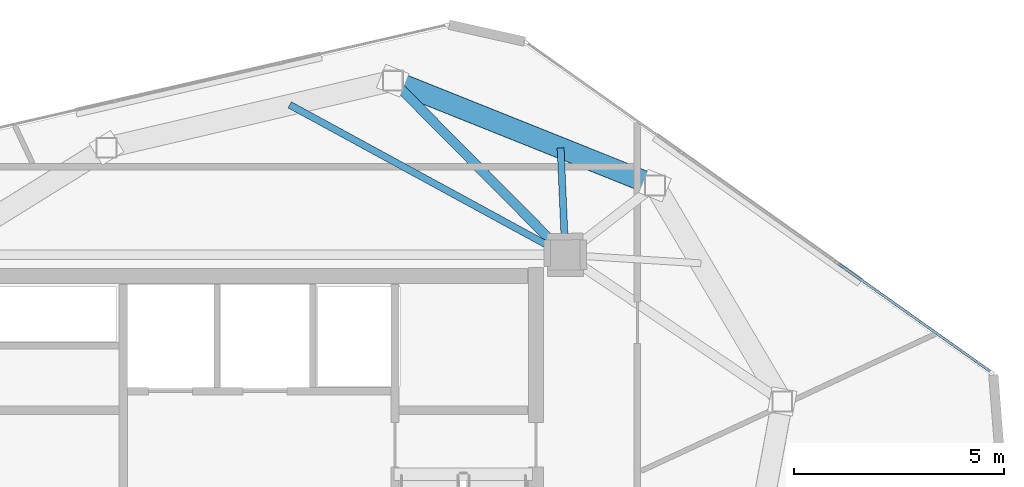
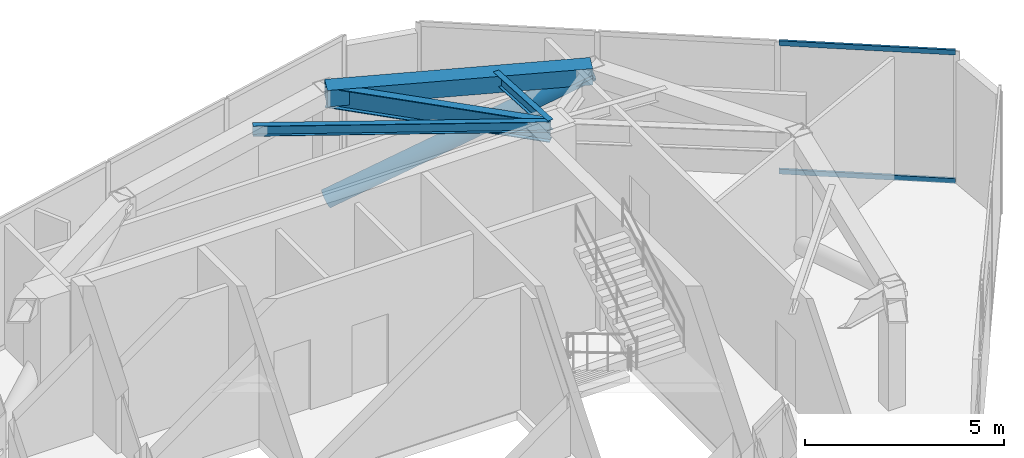
# One storey, part 14 of 21: 4 beams, 3 members, 1 element without a shape of its own.
"""IFC4 building model written with IfcOpenShell, lengths in metres."""

from ifc_helpers import new_model, si_unit, direction, frame, origin, origin_2d, place, context, subcontext, project, spatial, hollow_rectangle, hollow_circle, i_section, extrude, source, transform, mapped, material, layer, layer_set, material_profile, profile_set, type_object, type_shapes, element, aggregate, save


model = new_model("IFC4")

# Units and contexts
model_context = context("Model", 3, precision=1e-05, world=origin(), true_north=direction((0.0, 1.0)))
body_context = subcontext(model_context, "Body", "Model", "MODEL_VIEW")
ifc_project = project(units=[si_unit("LENGTHUNIT", "METRE"), si_unit("AREAUNIT", "SQUARE_METRE"), si_unit("VOLUMEUNIT", "CUBIC_METRE"), si_unit("PLANEANGLEUNIT", "RADIAN"), si_unit("MASSUNIT", "GRAM", prefix="KILO")], contexts=[model_context])

# Site, building, storey
site_placement = place(None, origin())
site = spatial("IfcSite", under=ifc_project, at=site_placement, CompositionType="ELEMENT")
building_placement = place(site_placement, origin())
building = spatial("IfcBuilding", under=site, at=building_placement, Name="Talar Marvaseh", CompositionType="ELEMENT")
storey_placement = place(building_placement, frame((0.0, 0.0, 308.0)))
storey = spatial("IfcBuildingStorey", under=building, at=storey_placement, Name="L82", CompositionType="ELEMENT", Elevation=308.0)

# Beams
ifc_material_1 = material(Name="Steel S460", Category="steel")
ifc_material_profile_1 = material_profile(ifc_material_1, hollow_rectangle(XDim=0.5, YDim=0.5, WallThickness=0.02490234375, at=origin_2d()), Name="BOX500x500x25")
ifc_profile_set_1 = profile_set([ifc_material_profile_1], Name="Steel S460")
beam_type_1 = type_object("IfcBeamType", Name="Crown Frame Top Ring Beam BOX500x500x25", PredefinedType="BEAM", material=ifc_profile_set_1)
beam_1_placement = place(storey_placement, frame((29.18798828125, 41.052001953125, 3.489990234375), z_axis=(0.928426659475, -0.371515730456, 0.0), x_axis=(0.371515730456, 0.928426659475, 0.0)))
element("IfcBeam", 1, at=beam_1_placement, inside=storey, type_object=beam_type_1, Name="L82 Crown Frame Top Ring Beam BOX500x500x25", PredefinedType="BEAM", context=body_context, shape_type="SweptSolid", body=[
    extrude(hollow_rectangle(XDim=0.5, YDim=0.5, WallThickness=0.02490234375, at=origin_2d()), origin(), (0.0, 0.0, 1.0), 6.73193359375),
])
ifc_material_2 = material(Name="Steel S355", Category="steel")
ifc_material_profile_2 = material_profile(ifc_material_2, i_section(OverallWidth=0.166015625, OverallDepth=0.31298828125, WebThickness=0.006591796875, FlangeThickness=0.01123046875, at=origin_2d()), Name="W310x45")
ifc_profile_set_2 = profile_set([ifc_material_profile_2], Name="Steel S355")
beam_type_2 = type_object("IfcBeamType", Name="Zone 3 Secondary Floor Joist W310x45", PredefinedType="JOIST", material=ifc_profile_set_2)
beam_2_placement = place(storey_placement, frame((26.731689453125, 40.476806640625, 3.58349609375), z_axis=(0.878223458764, -0.478250516442, 0.0), x_axis=(0.478250516442, 0.878223458764, 0.0)))
element("IfcBeam", 2, at=beam_2_placement, inside=storey, type_object=beam_type_2, Name="L82 Zone 3 Secondary Floor Joist W310x45", PredefinedType="JOIST", context=body_context, shape_type="SweptSolid", body=[
    extrude(i_section(OverallWidth=0.166015625, OverallDepth=0.31298828125, WebThickness=0.006591796875, FlangeThickness=0.01123046875, at=origin_2d()), origin(), (0.0, 0.0, 1.0), 7.479248046875),
])
beam_3_placement = place(storey_placement, frame((33.18798828125, 39.451416015625, 3.58349609375), z_axis=(0.043876945448, -0.99903694309, 0.0), x_axis=(0.99903694309, 0.043876945448, 0.0)))
element("IfcBeam", 3, at=beam_3_placement, inside=storey, type_object=beam_type_2, Name="L82 Zone 3 Secondary Floor Joist W310x45", PredefinedType="JOIST", context=body_context, shape_type="SweptSolid", body=[
    extrude(i_section(OverallWidth=0.166015625, OverallDepth=0.31298828125, WebThickness=0.006591796875, FlangeThickness=0.01123046875, at=origin_2d()), origin(), (0.0, 0.0, 1.0), 2.553955078125),
])
ifc_material_profile_3 = material_profile(ifc_material_2, i_section(OverallWidth=0.22998046875, OverallDepth=0.616943359375, WebThickness=0.01318359375, FlangeThickness=0.022216796875, at=origin_2d()), Name="W610x140")
ifc_profile_set_3 = profile_set([ifc_material_profile_3], Name="Steel S355")
beam_type_3 = type_object("IfcBeamType", Name="Zone 4 Radial Floor Girder W610x140", PredefinedType="BEAM", material=ifc_profile_set_3)
beam_4_placement = place(storey_placement, frame((29.18798828125, 41.052001953125, 3.431396484375), z_axis=(0.703672658083, -0.710524306598, 0.0), x_axis=(0.710524306598, 0.703672658083, 0.0)))
element("IfcBeam", 4, at=beam_4_placement, inside=storey, type_object=beam_type_3, Name="L82 Zone 4 Radial Floor Girder W610x140", PredefinedType="BEAM", context=body_context, shape_type="SweptSolid", body=[
    extrude(i_section(OverallWidth=0.22998046875, OverallDepth=0.616943359375, WebThickness=0.01318359375, FlangeThickness=0.022216796875, at=origin_2d()), origin(), (0.0, 0.0, 1.0), 5.84375),
])

# Member
ifc_material_profile_4 = material_profile(ifc_material_1, hollow_circle(Radius=0.25390625, WallThickness=0.02001953125, at=origin_2d()), Name="CHS508x20")
ifc_profile_set_4 = profile_set([ifc_material_profile_4], Name="Steel S460")
member_type_1 = type_object("IfcMemberType", Name="Crown Frame Diagonal Brace CHS508x20", PredefinedType="BRACE", material=ifc_profile_set_4)
shared_shape_1 = source(origin(), body_context, "Body", "SweptSolid", [
    extrude(hollow_circle(Radius=0.25390625, WallThickness=0.02001953125, at=origin_2d()), origin(), (0.0, 0.0, 1.0), 7.470947265625),
])
type_shapes(member_type_1, [shared_shape_1])
member_1_placement = place(storey_placement, frame((29.18798828125, 41.052001953125, 0.25), z_axis=(0.836574961604, -0.334760699479, 0.433679152947), x_axis=(0.371515730456, 0.928426659475, 0.0)))
element("IfcMember", 5, at=member_1_placement, inside=storey, type_object=member_type_1, Name="L82 Crown Frame Diagonal Brace 5", PredefinedType="BRACE", context=body_context, shape_type="MappedRepresentation", body=[
    mapped(shared_shape_1, transform((0.0, 0.0, 0.0), x_axis=(1.0, 0.0, 0.0), y_axis=(0.0, 1.0, 0.0), z_axis=(0.0, 0.0, 1.0), scale=1.0)),
])

# Curtain wall, members
ifc_material_3 = material(Name="Architectural Aluminium", Category="aluminium")
ifc_layer = layer(ifc_material_3, 0.2099609375)
ifc_layer_set = layer_set([ifc_layer], Name="Architectural Aluminium")
curtain_wall_type = type_object("IfcCurtainWallType", Name="Crown Plant Acoustic Spandrel Curtain Wall", PredefinedType="NOTDEFINED", material=ifc_layer_set)
curtain_wall_placement = place(storey_placement, origin())
curtain_wall = element("IfcCurtainWall", 6, at=curtain_wall_placement, inside=storey, type_object=curtain_wall_type, Name="L82 Crown Plant Acoustic Spandrel Curtain Wall", PredefinedType="NOTDEFINED")
ifc_material_profile_5 = material_profile(ifc_material_3, hollow_rectangle(XDim=0.06494140625, YDim=0.14990234375, WallThickness=0.00390625, at=origin_2d()), Name="RHS150x65x4")
ifc_profile_set_5 = profile_set([ifc_material_profile_5], Name="Architectural Aluminium")
member_type_2 = type_object("IfcMemberType", Name="Unitised Curtain Wall Slim Transom RHS150x65x4", PredefinedType="USERDEFINED", material=ifc_profile_set_5)
shared_shape_2 = source(origin(), body_context, "Body", "SweptSolid", [
    extrude(hollow_rectangle(XDim=0.06494140625, YDim=0.14990234375, WallThickness=0.00390625, at=origin_2d()), origin(), (0.0, 0.0, 1.0), 4.447265625),
])
type_shapes(member_type_2, [shared_shape_2])
member_2_placement = place(storey_placement, frame((39.798583984375, 36.6962890625, 0.032470703125), z_axis=(0.815672602839, -0.578513789791, 0.0), x_axis=(0.578513789791, 0.815672602839, 0.0)))
member_2 = element("IfcMember", 7, at=member_2_placement, type_object=member_type_2, Name="CW-CRN transom 3.1", ObjectType="TRANSOM", PredefinedType="USERDEFINED", context=body_context, shape_type="MappedRepresentation", body=[
    mapped(shared_shape_2, transform((0.0, 0.0, 0.0), x_axis=(1.0, 0.0, 0.0), y_axis=(0.0, 1.0, 0.0), z_axis=(0.0, 0.0, 1.0), scale=1.0)),
])
member_3_placement = place(storey_placement, frame((39.798583984375, 36.6962890625, 3.967529296875), z_axis=(0.815672602839, -0.578513789791, 0.0), x_axis=(0.578513789791, 0.815672602839, 0.0)))
member_3 = element("IfcMember", 8, at=member_3_placement, type_object=member_type_2, Name="CW-CRN transom 3.2", ObjectType="TRANSOM", PredefinedType="USERDEFINED", context=body_context, shape_type="MappedRepresentation", body=[
    mapped(shared_shape_2, transform((0.0, 0.0, 0.0), x_axis=(1.0, 0.0, 0.0), y_axis=(0.0, 1.0, 0.0), z_axis=(0.0, 0.0, 1.0), scale=1.0)),
])
aggregate(curtain_wall, [member_2, member_3])

save(model, "model.ifc")
